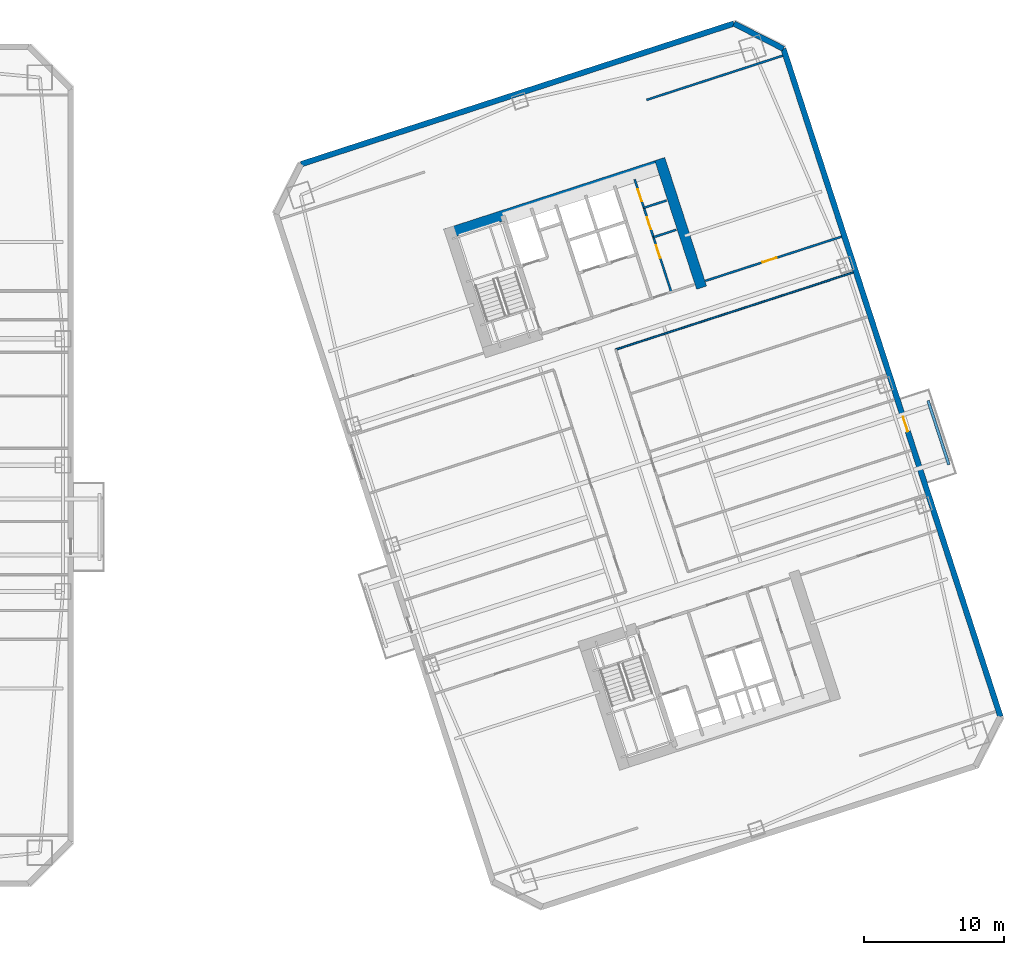
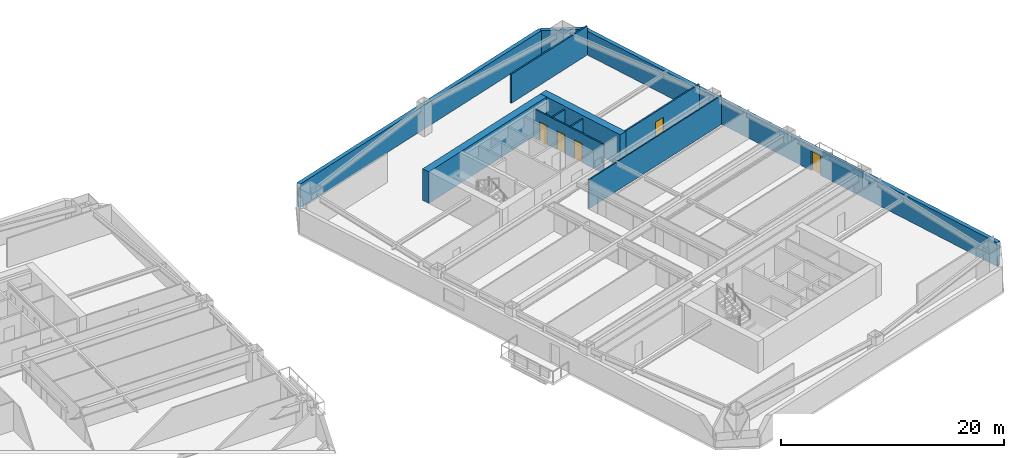
# One storey, part 9 of 15: 12 walls, 5 doors, 5 openings.
"""IFC4 building model written with IfcOpenShell, lengths in metres."""

from ifc_helpers import new_model, si_unit, direction, frame, frame_2d, origin, place, context, subcontext, project, spatial, rectangle, extrude, material, layer, layer_set, type_object, element, fill, save


model = new_model("IFC4")

# Units and contexts
model_context = context("Model", 3, precision=1e-05, world=origin(), true_north=direction((0.0, 1.0)))
body_context = subcontext(model_context, "Body", "Model", "MODEL_VIEW")
ifc_project = project(units=[si_unit("LENGTHUNIT", "METRE"), si_unit("AREAUNIT", "SQUARE_METRE"), si_unit("VOLUMEUNIT", "CUBIC_METRE"), si_unit("PLANEANGLEUNIT", "RADIAN"), si_unit("MASSUNIT", "GRAM", prefix="KILO")], contexts=[model_context])

# Site, building, storey
site_placement = place(None, origin())
site = spatial("IfcSite", under=ifc_project, at=site_placement, CompositionType="ELEMENT")
building_placement = place(site_placement, origin())
building = spatial("IfcBuilding", under=site, at=building_placement, Name="Qiaolan Cultural Towers", CompositionType="ELEMENT")
storey_placement = place(building_placement, frame((0.0, 0.0, 60.949951171875)))
storey = spatial("IfcBuildingStorey", under=building, at=storey_placement, Name="L14", CompositionType="ELEMENT", Elevation=60.949951171875)

# Walls
ifc_material_1 = material(Name="Concrete C60", Category="concrete")
ifc_layer_1 = layer(ifc_material_1, 0.75)
ifc_layer_set_1 = layer_set([ifc_layer_1], Name="Concrete C60")
wall_type_1 = type_object("IfcWallType", Name="WL-CORE-750", PredefinedType="SHEAR", material=ifc_layer_set_1)
wall_1_placement = place(storey_placement, frame((76.27197265625, 50.442626953125, 0.0), z_axis=(0.0, 0.0, 1.0), x_axis=(0.951056072937, 0.309018358888, 0.0)))
element("IfcWall", 1, at=wall_1_placement, inside=storey, type_object=wall_type_1, Name="L14 T2-CN Outer Core Shear Wall", PredefinedType="SHEAR", context=body_context, shape_type="SweptSolid", body=[
    extrude(rectangle(XDim=16.550048828125, YDim=0.75, at=frame_2d((8.27490234375, 0.0))), origin(), (0.0, 0.0, 1.0), 3.449951171875),
])
wall_2_placement = place(storey_placement, frame((94.515380859375, 46.638916015625, 0.0), z_axis=(0.0, 0.0, 1.0), x_axis=(-0.309016134813, 0.951056795583, 0.0)))
element("IfcWall", 2, at=wall_2_placement, inside=storey, type_object=wall_type_1, Name="L14 T2-CN East Core Shear Wall", PredefinedType="SHEAR", context=body_context, shape_type="SweptSolid", body=[
    extrude(rectangle(XDim=9.630126953125, YDim=0.75, at=frame_2d((4.81494140625, 0.0))), origin(), (0.0, 0.0, 1.0), 3.449951171875),
])
ifc_material_2 = material(Name="Precast Concrete C50 Honed Stone Pier", Category="masonry")
ifc_layer_2 = layer(ifc_material_2, 0.39990234375)
ifc_layer_set_2 = layer_set([ifc_layer_2], Name="Precast Concrete C50 Honed Stone Pier")
wall_type_2 = type_object("IfcWallType", Name="WL-EXT-PIER-400", PredefinedType="SOLIDWALL", material=ifc_layer_set_2)
wall_3_placement = place(storey_placement, frame((66.002197265625, 55.433349609375, 0.0), z_axis=(0.0, 0.0, 1.0), x_axis=(0.951055939317, 0.309018770125, 0.0)))
element("IfcWall", 3, at=wall_3_placement, inside=storey, type_object=wall_type_2, Name="L14 East Tower Precast Pier Facade Wall F3", PredefinedType="SOLIDWALL", context=body_context, shape_type="SweptSolid", body=[
    extrude(rectangle(XDim=32.39990234375, YDim=0.39990234375, at=frame_2d((16.199951171875, 0.0))), origin(), (0.0, 0.0, 1.0), 2.610107421875),
])
wall_4_placement = place(storey_placement, frame((96.81640625, 65.445556640625, 0.0), z_axis=(0.0, 0.0, 1.0), x_axis=(0.890998089617, -0.454007053137, 0.0)))
element("IfcWall", 4, at=wall_4_placement, inside=storey, type_object=wall_type_2, Name="L14 East Tower Precast Pier Facade Wall F4", PredefinedType="SOLIDWALL", context=body_context, shape_type="SweptSolid", body=[
    extrude(rectangle(XDim=3.9599609375, YDim=0.39990234375, at=frame_2d((1.97998046875, 0.0))), origin(), (0.0, 0.0, 1.0), 2.610107421875),
])

# Wall, opening, door
wall_5_placement = place(storey_placement, frame((100.3447265625, 63.647705078125, 0.0), z_axis=(0.0, 0.0, 1.0), x_axis=(0.309014526607, -0.951057318118, 0.0)))
wall_5 = element("IfcWall", 5, at=wall_5_placement, inside=storey, type_object=wall_type_2, Name="L14 East Tower Precast Pier Facade Wall F5", PredefinedType="SOLIDWALL", context=body_context, shape_type="SweptSolid", body=[
    extrude(rectangle(XDim=49.999755859375, YDim=0.39990234375, at=frame_2d((25.0, 0.0))), origin(), (0.0, 0.0, 1.0), 2.610107421875),
])
opening_1_placement = place(wall_5_placement, frame((27.550048828125, 0.0, 0.0)))
opening_1 = element("IfcOpeningElement", 6, at=opening_1_placement, cuts=wall_5, Name="Opening BD-01", PredefinedType="OPENING", context=body_context, shape_type="SweptSolid", body=[
    extrude(rectangle(XDim=1.10009765625, YDim=2.14990234375, at=frame_2d((0.550048828125, 1.074951171875))), frame((0.0, 0.2099609375, 0.0), z_axis=(0.0, -1.0, 0.0), x_axis=(1.0, 0.0, 0.0)), (0.0, 0.0, 1.0), 0.419921875),
])
ifc_material_3 = material(Name="Thermally Broken Aluminium Glazed Terrace Door", Category="aluminium")
door_type_1 = type_object("IfcDoorType", Name="DR-BAL-1100", OperationType="NOTDEFINED", PredefinedType="DOOR", material=ifc_material_3)
door_1_placement = place(opening_1_placement, origin())
door_1 = element("IfcDoor", 7, at=door_1_placement, inside=storey, type_object=door_type_1, Name="L14 T2 East Tree Balcony Door", OperationType="SINGLE_SWING_RIGHT", OverallHeight=2.14990234375, OverallWidth=1.10009765625, PredefinedType="DOOR", context=body_context, shape_type="SweptSolid", body=[
    extrude(rectangle(XDim=1.10009765625, YDim=2.14990234375, at=frame_2d((0.550048828125, 1.074951171875))), frame((0.0, 0.02490234375, 0.0), z_axis=(0.0, -1.0, 0.0), x_axis=(1.0, 0.0, 0.0)), (0.0, 0.0, 1.0), 0.050048828125),
])
fill(opening_1, door_1)

# Wall
ifc_material_4 = material(Name="Gypsum Stud Acoustic Partition", Category="gypsum")
ifc_layer_3 = layer(ifc_material_4, 0.1201171875)
ifc_layer_set_3 = layer_set([ifc_layer_3], Name="Gypsum Stud Acoustic Partition")
wall_type_3 = type_object("IfcWallType", Name="WL-PART-120", PredefinedType="PARTITIONING", material=ifc_layer_set_3)
wall_6_placement = place(storey_placement, frame((88.40380859375, 42.2294921875, 0.0), z_axis=(0.0, 0.0, 1.0), x_axis=(0.951054152931, 0.309024267966, 0.0)))
element("IfcWall", 8, at=wall_6_placement, inside=storey, type_object=wall_type_3, Name="L14 T2 North Corridor Right Wall", PredefinedType="PARTITIONING", context=body_context, shape_type="SweptSolid", body=[
    extrude(rectangle(XDim=17.775146484375, YDim=0.1201171875, at=frame_2d((8.8876953125, 0.0))), origin(), (0.0, 0.0, 1.0), 3.175048828125),
])

# Wall, openings, doors
ifc_material_5 = material(Name="Autoclaved Aerated Concrete Block B06", Category="concrete")
ifc_layer_4 = layer(ifc_material_5, 0.14990234375)
ifc_layer_set_4 = layer_set([ifc_layer_4], Name="Autoclaved Aerated Concrete Block B06")
wall_type_4 = type_object("IfcWallType", Name="WL-PART-150", PredefinedType="PARTITIONING", material=ifc_layer_set_4)
wall_7_placement = place(storey_placement, frame((92.354736328125, 46.3310546875, 0.0), z_axis=(0.0, 0.0, 1.0), x_axis=(-0.309007490203, 0.951059604335, 0.0)))
wall_7 = element("IfcWall", 9, at=wall_7_placement, inside=storey, type_object=wall_type_4, Name="L14 T2-CN Sanitary Vestibule Wall", PredefinedType="PARTITIONING", context=body_context, shape_type="SweptSolid", body=[
    extrude(rectangle(XDim=8.43017578125, YDim=0.14990234375, at=frame_2d((4.215087890625, 0.0))), origin(), (0.0, 0.0, 1.0), 3.175048828125),
])
opening_2_placement = place(wall_7_placement, frame((2.550048828125, 0.0, 0.0)))
opening_2 = element("IfcOpeningElement", 10, at=opening_2_placement, cuts=wall_7, Name="Opening ID-05", PredefinedType="OPENING", context=body_context, shape_type="SweptSolid", body=[
    extrude(rectangle(XDim=0.949951171875, YDim=2.050048828125, at=frame_2d((0.47509765625, 1.02490234375))), frame((0.0, 0.0849609375, 0.0), z_axis=(0.0, -1.0, 0.0), x_axis=(1.0, 0.0, 0.0)), (0.0, 0.0, 1.0), 0.169921875),
])
opening_3_placement = place(wall_7_placement, frame((4.699951171875, 0.0, 0.0)))
opening_3 = element("IfcOpeningElement", 11, at=opening_3_placement, cuts=wall_7, Name="Opening ID-06", PredefinedType="OPENING", context=body_context, shape_type="SweptSolid", body=[
    extrude(rectangle(XDim=0.89990234375, YDim=2.050048828125, at=frame_2d((0.449951171875, 1.02490234375))), frame((0.0, 0.0849609375, 0.0), z_axis=(0.0, -1.0, 0.0), x_axis=(1.0, 0.0, 0.0)), (0.0, 0.0, 1.0), 0.169921875),
])
opening_4_placement = place(wall_7_placement, frame((6.800048828125, 0.0, 0.0)))
opening_4 = element("IfcOpeningElement", 12, at=opening_4_placement, cuts=wall_7, Name="Opening ID-06", PredefinedType="OPENING", context=body_context, shape_type="SweptSolid", body=[
    extrude(rectangle(XDim=0.89990234375, YDim=2.050048828125, at=frame_2d((0.449951171875, 1.02490234375))), frame((0.0, 0.0849609375, 0.0), z_axis=(0.0, -1.0, 0.0), x_axis=(1.0, 0.0, 0.0)), (0.0, 0.0, 1.0), 0.169921875),
])
ifc_material_6 = material(Name="Fire-Rated Laminate Core Service Door", Category="timber")
door_type_2 = type_object("IfcDoorType", Name="DR-INT-900", OperationType="NOTDEFINED", PredefinedType="DOOR", material=ifc_material_6)
door_2_placement = place(opening_3_placement, origin())
door_2 = element("IfcDoor", 13, at=door_2_placement, inside=storey, type_object=door_type_2, Name="L14 Men Washroom Door", OperationType="SINGLE_SWING_LEFT", OverallHeight=2.050048828125, OverallWidth=0.89990234375, PredefinedType="DOOR", context=body_context, shape_type="SweptSolid", body=[
    extrude(rectangle(XDim=0.89990234375, YDim=2.050048828125, at=frame_2d((0.449951171875, 1.02490234375))), frame((0.0, 0.02490234375, 0.0), z_axis=(0.0, -1.0, 0.0), x_axis=(1.0, 0.0, 0.0)), (0.0, 0.0, 1.0), 0.050048828125),
])
fill(opening_3, door_2)
door_3_placement = place(opening_4_placement, origin())
door_3 = element("IfcDoor", 14, at=door_3_placement, inside=storey, type_object=door_type_2, Name="L14 Women Washroom Door", OperationType="SINGLE_SWING_RIGHT", OverallHeight=2.050048828125, OverallWidth=0.89990234375, PredefinedType="DOOR", context=body_context, shape_type="SweptSolid", body=[
    extrude(rectangle(XDim=0.89990234375, YDim=2.050048828125, at=frame_2d((0.449951171875, 1.02490234375))), frame((0.0, 0.02490234375, 0.0), z_axis=(0.0, -1.0, 0.0), x_axis=(1.0, 0.0, 0.0)), (0.0, 0.0, 1.0), 0.050048828125),
])
fill(opening_4, door_3)
ifc_material_7 = material(Name="Fire-Rated Laminate Accessible Core Door", Category="timber")
door_type_3 = type_object("IfcDoorType", Name="DR-INT-950", OperationType="NOTDEFINED", PredefinedType="DOOR", material=ifc_material_7)
door_4_placement = place(opening_2_placement, origin())
door_4 = element("IfcDoor", 15, at=door_4_placement, inside=storey, type_object=door_type_3, Name="L14 Accessible Family Washroom Door", OperationType="SINGLE_SWING_LEFT", OverallHeight=2.050048828125, OverallWidth=0.949951171875, PredefinedType="DOOR", context=body_context, shape_type="SweptSolid", body=[
    extrude(rectangle(XDim=0.949951171875, YDim=2.050048828125, at=frame_2d((0.47509765625, 1.02490234375))), frame((0.0, 0.02490234375, 0.0), z_axis=(0.0, -1.0, 0.0), x_axis=(1.0, 0.0, 0.0)), (0.0, 0.0, 1.0), 0.050048828125),
])
fill(opening_2, door_4)

# Walls
wall_8_placement = place(storey_placement, frame((91.087646484375, 50.23046875, 0.0), z_axis=(0.0, 0.0, 1.0), x_axis=(0.951054116971, 0.309024378638, 0.0)))
element("IfcWall", 16, at=wall_8_placement, inside=storey, type_object=wall_type_4, Name="L14 T2-CN Restroom Split Wall 1", PredefinedType="PARTITIONING", context=body_context, shape_type="SweptSolid", body=[
    extrude(rectangle(XDim=1.7001953125, YDim=0.14990234375, at=frame_2d((0.85009765625, 0.0))), origin(), (0.0, 0.0, 1.0), 3.175048828125),
])
wall_9_placement = place(storey_placement, frame((90.407958984375, 52.32275390625, 0.0), z_axis=(0.0, 0.0, 1.0), x_axis=(0.951040401051, 0.309066587596, 0.0)))
element("IfcWall", 17, at=wall_9_placement, inside=storey, type_object=wall_type_4, Name="L14 T2-CN Restroom Split Wall 2", PredefinedType="PARTITIONING", context=body_context, shape_type="SweptSolid", body=[
    extrude(rectangle(XDim=1.699951171875, YDim=0.14990234375, at=frame_2d((0.85009765625, 0.0))), origin(), (0.0, 0.0, 1.0), 3.175048828125),
])
wall_10_placement = place(storey_placement, frame((90.5927734375, 60.006103515625, 0.0), z_axis=(0.0, 0.0, 1.0), x_axis=(0.951059043131, 0.309009217467, 0.0)))
element("IfcWall", 18, at=wall_10_placement, inside=storey, type_object=wall_type_4, Name="L14 T2 Flank Wall FLK-NE", PredefinedType="PARTITIONING", context=body_context, shape_type="SweptSolid", body=[
    extrude(rectangle(XDim=10.199951171875, YDim=0.14990234375, at=frame_2d((5.10009765625, 0.0))), origin(), (0.0, 0.0, 1.0), 3.175048828125),
])

# Wall, opening, door
wall_11_placement = place(storey_placement, frame((94.77978515625, 47.119140625, 0.0), z_axis=(0.0, 0.0, 1.0), x_axis=(0.951054294345, 0.309023832749, 0.0)))
wall_11 = element("IfcWall", 19, at=wall_11_placement, inside=storey, type_object=wall_type_4, Name="L14 T2 Flank Front FLK-NE", PredefinedType="PARTITIONING", context=body_context, shape_type="SweptSolid", body=[
    extrude(rectangle(XDim=10.2001953125, YDim=0.14990234375, at=frame_2d((5.10009765625, 0.0))), origin(), (0.0, 0.0, 1.0), 3.175048828125),
])
opening_5_placement = place(wall_11_placement, frame((4.283935546875, 0.0, 0.0)))
opening_5 = element("IfcOpeningElement", 20, at=opening_5_placement, cuts=wall_11, Name="Opening ID-07", PredefinedType="OPENING", context=body_context, shape_type="SweptSolid", body=[
    extrude(rectangle(XDim=1.050048828125, YDim=2.050048828125, at=frame_2d((0.52490234375, 1.02490234375))), frame((0.0, 0.0849609375, 0.0), z_axis=(0.0, -1.0, 0.0), x_axis=(1.0, 0.0, 0.0)), (0.0, 0.0, 1.0), 0.169921875),
])
ifc_material_8 = material(Name="Oak Veneer Consultation Door", Category="timber")
door_type_4 = type_object("IfcDoorType", Name="DR-INT-1050", OperationType="NOTDEFINED", PredefinedType="DOOR", material=ifc_material_8)
door_5_placement = place(opening_5_placement, origin())
door_5 = element("IfcDoor", 21, at=door_5_placement, inside=storey, type_object=door_type_4, Name="L14 T2 Corner Studio Door", OperationType="SINGLE_SWING_LEFT", OverallHeight=2.050048828125, OverallWidth=1.050048828125, PredefinedType="DOOR", context=body_context, shape_type="SweptSolid", body=[
    extrude(rectangle(XDim=1.050048828125, YDim=2.050048828125, at=frame_2d((0.52490234375, 1.02490234375))), frame((0.0, 0.02490234375, 0.0), z_axis=(0.0, -1.0, 0.0), x_axis=(1.0, 0.0, 0.0)), (0.0, 0.0, 1.0), 0.050048828125),
])
fill(opening_5, door_5)

# Wall
ifc_material_9 = material(Name="Precast Concrete C45 Tree Planter Upstand", Category="concrete")
ifc_layer_5 = layer(ifc_material_9, 0.199951171875)
ifc_layer_set_5 = layer_set([ifc_layer_5], Name="Precast Concrete C45 Tree Planter Upstand")
wall_type_5 = type_object("IfcWallType", Name="WL-PLANTER-200", PredefinedType="PARAPET", material=ifc_layer_set_5)
wall_12_placement = place(storey_placement, frame((112.12109375, 34.03759765625, 0.0), z_axis=(0.0, 0.0, 1.0), x_axis=(-0.309032019345, 0.951051634255, 0.0)))
element("IfcWall", 22, at=wall_12_placement, inside=storey, type_object=wall_type_5, Name="L14 T2 Tree Balcony Soil Planter Box E", PredefinedType="PARAPET", context=body_context, shape_type="SweptSolid", body=[
    extrude(rectangle(XDim=4.800048828125, YDim=0.199951171875, at=frame_2d((2.39990234375, 0.0))), origin(), (0.0, 0.0, 1.0), 0.75),
])

save(model, "model.ifc")
